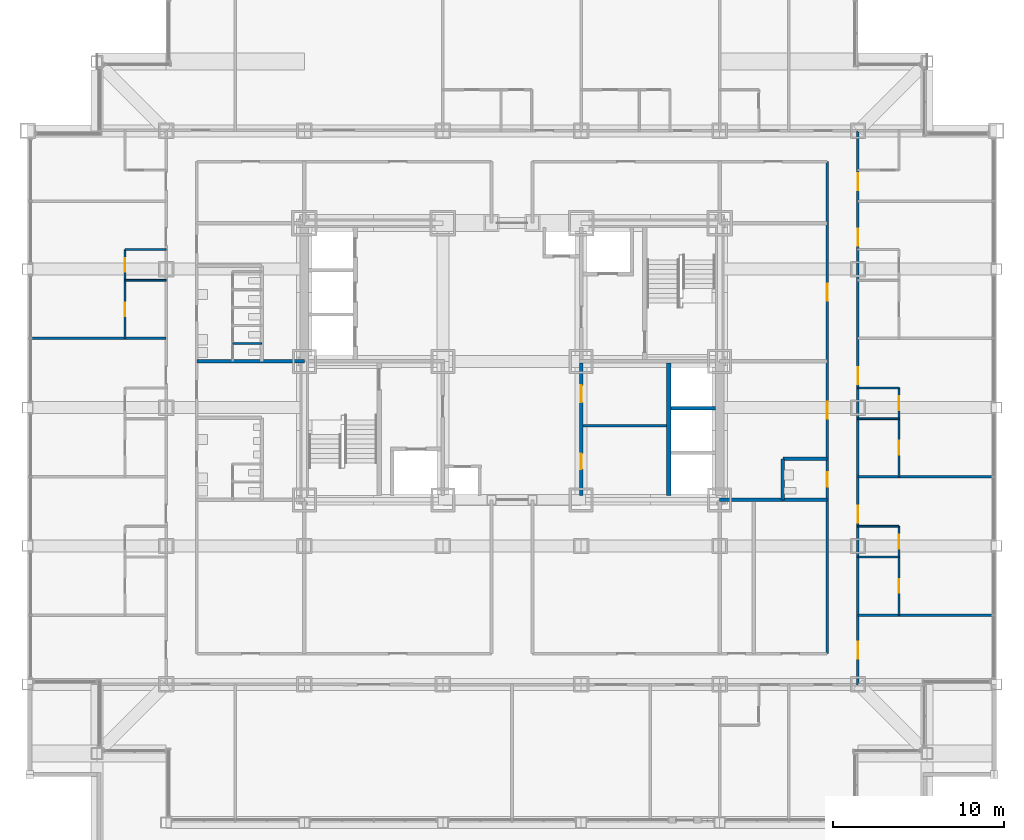
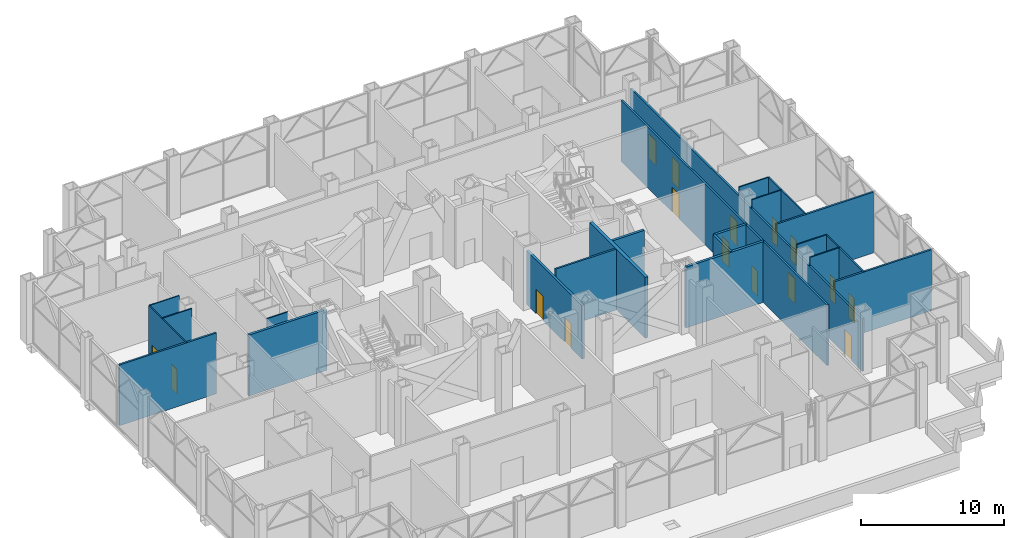
# One storey, part 21 of 26: 23 walls, 16 doors, 16 openings.
"""IFC4 building model written with IfcOpenShell, lengths in metres."""

from ifc_helpers import new_model, si_unit, direction, frame, frame_2d, origin, place, context, subcontext, project, spatial, rectangle, extrude, material, layer, layer_set, type_object, element, fill, save


model = new_model("IFC4")

# Units and contexts
model_context = context("Model", 3, precision=1e-05, world=origin(), true_north=direction((0.0, 1.0)))
body_context = subcontext(model_context, "Body", "Model", "MODEL_VIEW")
ifc_project = project(units=[si_unit("LENGTHUNIT", "METRE"), si_unit("AREAUNIT", "SQUARE_METRE"), si_unit("VOLUMEUNIT", "CUBIC_METRE"), si_unit("PLANEANGLEUNIT", "RADIAN"), si_unit("MASSUNIT", "GRAM", prefix="KILO")], contexts=[model_context])

# Site, building, storey
site_placement = place(None, origin())
site = spatial("IfcSite", under=ifc_project, at=site_placement, CompositionType="ELEMENT")
building_placement = place(site_placement, origin())
building = spatial("IfcBuilding", under=site, at=building_placement, Name="Kopane Lantern Tower", CompositionType="ELEMENT")
storey_placement = place(building_placement, frame((0.0, 0.0, 98.0)))
storey = spatial("IfcBuildingStorey", under=building, at=storey_placement, Name="L24", CompositionType="ELEMENT", Elevation=98.0)

# Wall, openings, doors
ifc_material_1 = material(Name="Moisture-resistant board on steel studs", Category="steel")
ifc_layer_1 = layer(ifc_material_1, 0.10009765625)
ifc_layer_set_1 = layer_set([ifc_layer_1], Name="BATHROOM WALL 100")
wall_type_1 = type_object("IfcWallType", Name="BATHROOM WALL 100", PredefinedType="PARTITIONING", material=ifc_layer_set_1)
wall_1_placement = place(storey_placement, frame((5.699951171875, 33.75, 0.0), z_axis=(0.0, 0.0, 1.0), x_axis=(0.0, 1.0, 0.0)))
wall_1 = element("IfcWall", 1, at=wall_1_placement, inside=storey, type_object=wall_type_1, Name="Bathroom Wall 100 L24", PredefinedType="PARTITIONING", context=body_context, shape_type="SweptSolid", body=[
    extrude(rectangle(XDim=5.199951171875, YDim=0.10009765625, at=frame_2d((2.60009765625, 0.0))), origin(), (0.0, 0.0, 1.0), 5.18994140625),
])
opening_1_placement = place(wall_1_placement, frame((1.300048828125, 0.0, 0.0)))
opening_1 = element("IfcOpeningElement", 2, at=opening_1_placement, cuts=wall_1, Name="Opening L24-038", PredefinedType="OPENING", context=body_context, shape_type="SweptSolid", body=[
    extrude(rectangle(XDim=0.800048828125, YDim=2.10009765625, at=frame_2d((0.39990234375, 1.050048828125))), frame((0.0, 0.06005859375, 0.0), z_axis=(0.0, -1.0, 0.0), x_axis=(1.0, 0.0, 0.0)), (0.0, 0.0, 1.0), 0.1201171875),
])
opening_2_placement = place(wall_1_placement, frame((3.89990234375, 0.0, 0.0)))
opening_2 = element("IfcOpeningElement", 3, at=opening_2_placement, cuts=wall_1, Name="Opening L24-039", PredefinedType="OPENING", context=body_context, shape_type="SweptSolid", body=[
    extrude(rectangle(XDim=0.800048828125, YDim=2.10009765625, at=frame_2d((0.39990234375, 1.050048828125))), frame((0.0, 0.06005859375, 0.0), z_axis=(0.0, -1.0, 0.0), x_axis=(1.0, 0.0, 0.0)), (0.0, 0.0, 1.0), 0.1201171875),
])
ifc_material_2 = material(Name="Timber door set", Category="wood")
door_type_1 = type_object("IfcDoorType", Name="DOOR D2 800x2100", OperationType="SINGLE_SWING_LEFT", PredefinedType="DOOR", material=ifc_material_2)
door_1_placement = place(opening_1_placement, origin())
door_1 = element("IfcDoor", 4, at=door_1_placement, inside=storey, type_object=door_type_1, Name="Door L24-038", OperationType="SINGLE_SWING_LEFT", OverallHeight=2.10009765625, OverallWidth=0.800048828125, PredefinedType="DOOR", context=body_context, shape_type="SweptSolid", body=[
    extrude(rectangle(XDim=0.800048828125, YDim=2.10009765625, at=frame_2d((0.39990234375, 1.050048828125))), frame((0.0, 0.02490234375, 0.0), z_axis=(0.0, -1.0, 0.0), x_axis=(1.0, 0.0, 0.0)), (0.0, 0.0, 1.0), 0.050048828125),
])
fill(opening_1, door_1)
door_2_placement = place(opening_2_placement, origin())
door_2 = element("IfcDoor", 5, at=door_2_placement, inside=storey, type_object=door_type_1, Name="Door L24-039", OperationType="SINGLE_SWING_LEFT", OverallHeight=2.10009765625, OverallWidth=0.800048828125, PredefinedType="DOOR", context=body_context, shape_type="SweptSolid", body=[
    extrude(rectangle(XDim=0.800048828125, YDim=2.10009765625, at=frame_2d((0.39990234375, 1.050048828125))), frame((0.0, 0.02490234375, 0.0), z_axis=(0.0, -1.0, 0.0), x_axis=(1.0, 0.0, 0.0)), (0.0, 0.0, 1.0), 0.050048828125),
])
fill(opening_2, door_2)

# Walls
for number, where, z_axis, x_axis, name in (
    (6, (8.10009765625, 37.14990234375, 0.0), (0.0, 0.0, 1.0), (-1.0, 0.0, 0.0), "Bathroom Wall 100 L24"),
    (7, (8.10009765625, 38.949951171875, 0.0), (0.0, 0.0, 1.0), (-1.0, 0.0, 0.0), "Bathroom Wall 100 L24"),
):
    element("IfcWall", number, at=place(storey_placement, frame(where, z_axis=z_axis, x_axis=x_axis)), inside=storey, type_object=wall_type_1, Name=name, PredefinedType="PARTITIONING", context=body_context, shape_type="SweptSolid", body=[
        extrude(rectangle(XDim=2.400146484375, YDim=0.10009765625, at=frame_2d((1.2001953125, 0.0))), origin(), (0.0, 0.0, 1.0), 5.18994140625),
    ])

# Wall, openings, doors
wall_2_placement = place(storey_placement, frame((51.0, 17.550048828125, 0.0), z_axis=(0.0, 0.0, 1.0), x_axis=(0.0, 1.0, 0.0)))
wall_2 = element("IfcWall", 8, at=wall_2_placement, inside=storey, type_object=wall_type_1, Name="Bathroom Wall 100 L24", PredefinedType="PARTITIONING", context=body_context, shape_type="SweptSolid", body=[
    extrude(rectangle(XDim=5.199951171875, YDim=0.10009765625, at=frame_2d((2.60009765625, 0.0))), origin(), (0.0, 0.0, 1.0), 5.18994140625),
])
opening_3_placement = place(wall_2_placement, frame((1.300048828125, 0.0, 0.0)))
opening_3 = element("IfcOpeningElement", 9, at=opening_3_placement, cuts=wall_2, Name="Opening L24-044", PredefinedType="OPENING", context=body_context, shape_type="SweptSolid", body=[
    extrude(rectangle(XDim=0.800048828125, YDim=2.10009765625, at=frame_2d((0.39990234375, 1.050048828125))), frame((0.0, 0.06005859375, 0.0), z_axis=(0.0, -1.0, 0.0), x_axis=(1.0, 0.0, 0.0)), (0.0, 0.0, 1.0), 0.1201171875),
])
opening_4_placement = place(wall_2_placement, frame((3.89990234375, 0.0, 0.0)))
opening_4 = element("IfcOpeningElement", 10, at=opening_4_placement, cuts=wall_2, Name="Opening L24-045", PredefinedType="OPENING", context=body_context, shape_type="SweptSolid", body=[
    extrude(rectangle(XDim=0.800048828125, YDim=2.10009765625, at=frame_2d((0.39990234375, 1.050048828125))), frame((0.0, 0.06005859375, 0.0), z_axis=(0.0, -1.0, 0.0), x_axis=(1.0, 0.0, 0.0)), (0.0, 0.0, 1.0), 0.1201171875),
])
door_3_placement = place(opening_3_placement, origin())
door_3 = element("IfcDoor", 11, at=door_3_placement, inside=storey, type_object=door_type_1, Name="Door L24-044", OperationType="SINGLE_SWING_RIGHT", OverallHeight=2.10009765625, OverallWidth=0.800048828125, PredefinedType="DOOR", context=body_context, shape_type="SweptSolid", body=[
    extrude(rectangle(XDim=0.800048828125, YDim=2.10009765625, at=frame_2d((0.39990234375, 1.050048828125))), frame((0.0, 0.02490234375, 0.0), z_axis=(0.0, -1.0, 0.0), x_axis=(1.0, 0.0, 0.0)), (0.0, 0.0, 1.0), 0.050048828125),
])
fill(opening_3, door_3)
door_4_placement = place(opening_4_placement, origin())
door_4 = element("IfcDoor", 12, at=door_4_placement, inside=storey, type_object=door_type_1, Name="Door L24-045", OperationType="SINGLE_SWING_RIGHT", OverallHeight=2.10009765625, OverallWidth=0.800048828125, PredefinedType="DOOR", context=body_context, shape_type="SweptSolid", body=[
    extrude(rectangle(XDim=0.800048828125, YDim=2.10009765625, at=frame_2d((0.39990234375, 1.050048828125))), frame((0.0, 0.02490234375, 0.0), z_axis=(0.0, -1.0, 0.0), x_axis=(1.0, 0.0, 0.0)), (0.0, 0.0, 1.0), 0.050048828125),
])
fill(opening_4, door_4)

# Walls
for number, where, z_axis, x_axis, name in (
    (13, (48.60009765625, 20.949951171875, 0.0), (0.0, 0.0, 1.0), (1.0, 0.0, 0.0), "Bathroom Wall 100 L24"),
    (14, (48.60009765625, 22.75, 0.0), (0.0, 0.0, 1.0), (1.0, 0.0, 0.0), "Bathroom Wall 100 L24"),
):
    element("IfcWall", number, at=place(storey_placement, frame(where, z_axis=z_axis, x_axis=x_axis)), inside=storey, type_object=wall_type_1, Name=name, PredefinedType="PARTITIONING", context=body_context, shape_type="SweptSolid", body=[
        extrude(rectangle(XDim=2.39990234375, YDim=0.10009765625, at=frame_2d((1.199951171875, 0.0))), origin(), (0.0, 0.0, 1.0), 5.18994140625),
    ])

# Wall, openings, doors
wall_3_placement = place(storey_placement, frame((51.0, 25.64990234375, 0.0), z_axis=(0.0, 0.0, 1.0), x_axis=(0.0, 1.0, 0.0)))
wall_3 = element("IfcWall", 15, at=wall_3_placement, inside=storey, type_object=wall_type_1, Name="Bathroom Wall 100 L24", PredefinedType="PARTITIONING", context=body_context, shape_type="SweptSolid", body=[
    extrude(rectangle(XDim=5.2001953125, YDim=0.10009765625, at=frame_2d((2.60009765625, 0.0))), origin(), (0.0, 0.0, 1.0), 5.18994140625),
])
opening_5_placement = place(wall_3_placement, frame((1.300048828125, 0.0, 0.0)))
opening_5 = element("IfcOpeningElement", 16, at=opening_5_placement, cuts=wall_3, Name="Opening L24-047", PredefinedType="OPENING", context=body_context, shape_type="SweptSolid", body=[
    extrude(rectangle(XDim=0.800048828125, YDim=2.10009765625, at=frame_2d((0.39990234375, 1.050048828125))), frame((0.0, 0.06005859375, 0.0), z_axis=(0.0, -1.0, 0.0), x_axis=(1.0, 0.0, 0.0)), (0.0, 0.0, 1.0), 0.1201171875),
])
opening_6_placement = place(wall_3_placement, frame((3.89990234375, 0.0, 0.0)))
opening_6 = element("IfcOpeningElement", 17, at=opening_6_placement, cuts=wall_3, Name="Opening L24-048", PredefinedType="OPENING", context=body_context, shape_type="SweptSolid", body=[
    extrude(rectangle(XDim=0.800048828125, YDim=2.10009765625, at=frame_2d((0.39990234375, 1.050048828125))), frame((0.0, 0.06005859375, 0.0), z_axis=(0.0, -1.0, 0.0), x_axis=(1.0, 0.0, 0.0)), (0.0, 0.0, 1.0), 0.1201171875),
])
door_5_placement = place(opening_5_placement, origin())
door_5 = element("IfcDoor", 18, at=door_5_placement, inside=storey, type_object=door_type_1, Name="Door L24-047", OperationType="SINGLE_SWING_RIGHT", OverallHeight=2.10009765625, OverallWidth=0.800048828125, PredefinedType="DOOR", context=body_context, shape_type="SweptSolid", body=[
    extrude(rectangle(XDim=0.800048828125, YDim=2.10009765625, at=frame_2d((0.39990234375, 1.050048828125))), frame((0.0, 0.02490234375, 0.0), z_axis=(0.0, -1.0, 0.0), x_axis=(1.0, 0.0, 0.0)), (0.0, 0.0, 1.0), 0.050048828125),
])
fill(opening_5, door_5)
door_6_placement = place(opening_6_placement, origin())
door_6 = element("IfcDoor", 19, at=door_6_placement, inside=storey, type_object=door_type_1, Name="Door L24-048", OperationType="SINGLE_SWING_RIGHT", OverallHeight=2.10009765625, OverallWidth=0.800048828125, PredefinedType="DOOR", context=body_context, shape_type="SweptSolid", body=[
    extrude(rectangle(XDim=0.800048828125, YDim=2.10009765625, at=frame_2d((0.39990234375, 1.050048828125))), frame((0.0, 0.02490234375, 0.0), z_axis=(0.0, -1.0, 0.0), x_axis=(1.0, 0.0, 0.0)), (0.0, 0.0, 1.0), 0.050048828125),
])
fill(opening_6, door_6)

# Walls
for number, where, z_axis, x_axis, name in (
    (20, (48.60009765625, 29.050048828125, 0.0), (0.0, 0.0, 1.0), (1.0, 0.0, 0.0), "Bathroom Wall 100 L24"),
    (21, (48.60009765625, 30.85009765625, 0.0), (0.0, 0.0, 1.0), (1.0, 0.0, 0.0), "Bathroom Wall 100 L24"),
):
    element("IfcWall", number, at=place(storey_placement, frame(where, z_axis=z_axis, x_axis=x_axis)), inside=storey, type_object=wall_type_1, Name=name, PredefinedType="PARTITIONING", context=body_context, shape_type="SweptSolid", body=[
        extrude(rectangle(XDim=2.39990234375, YDim=0.10009765625, at=frame_2d((1.199951171875, 0.0))), origin(), (0.0, 0.0, 1.0), 5.18994140625),
    ])
wall_4_placement = place(storey_placement, frame((12.0, 33.449951171875, 0.0), z_axis=(0.0, 0.0, 1.0), x_axis=(1.0, 0.0, 0.0)))
element("IfcWall", 22, at=wall_4_placement, inside=storey, type_object=wall_type_1, Name="Bathroom Wall 100 L24", PredefinedType="PARTITIONING", context=body_context, shape_type="SweptSolid", body=[
    extrude(rectangle(XDim=1.699951171875, YDim=0.10009765625, at=frame_2d((0.85009765625, 0.0))), origin(), (0.0, 0.0, 1.0), 5.18994140625),
])
ifc_material_3 = material(Name="Gypsum partition EI 60", Category="gypsum")
ifc_layer_2 = layer(ifc_material_3, 0.14990234375)
ifc_layer_set_2 = layer_set([ifc_layer_2], Name="CORE ROOM PARTITION 150 EI 60")
wall_type_2 = type_object("IfcWallType", Name="CORE ROOM PARTITION 150 EI 60", PredefinedType="PARTITIONING", material=ifc_layer_set_2)
wall_5_placement = place(storey_placement, frame((32.5, 28.625, 0.0), z_axis=(0.0, 0.0, 1.0), x_axis=(1.0, 0.0, 0.0)))
element("IfcWall", 23, at=wall_5_placement, inside=storey, type_object=wall_type_2, Name="Core room partition L24 E1", PredefinedType="PARTITIONING", context=body_context, shape_type="SweptSolid", body=[
    extrude(rectangle(XDim=4.89990234375, YDim=0.14990234375, at=frame_2d((2.449951171875, 0.0))), origin(), (0.0, 0.0, 1.0), 5.18994140625),
])

# Wall, openings, doors
ifc_material_4 = material(Name="Gypsum partition EI 60", Category="gypsum")
ifc_layer_3 = layer(ifc_material_4, 0.199951171875)
ifc_layer_set_3 = layer_set([ifc_layer_3], Name="CORE ROOM WALL 200 EI 60")
wall_type_3 = type_object("IfcWallType", Name="CORE ROOM WALL 200 EI 60", PredefinedType="PARTITIONING", material=ifc_layer_set_3)
wall_6_placement = place(storey_placement, frame((32.39990234375, 24.550048828125, 0.0), z_axis=(0.0, 0.0, 1.0), x_axis=(0.0, 1.0, 0.0)))
wall_6 = element("IfcWall", 24, at=wall_6_placement, inside=storey, type_object=wall_type_3, Name="Core room wall L24 XE", PredefinedType="PARTITIONING", context=body_context, shape_type="SweptSolid", body=[
    extrude(rectangle(XDim=7.75, YDim=0.199951171875, at=frame_2d((3.875, 0.0))), origin(), (0.0, 0.0, 1.0), 4.577880859375),
])
opening_7_placement = place(wall_6_placement, frame((1.550048828125, 0.0, 0.0)))
opening_7 = element("IfcOpeningElement", 25, at=opening_7_placement, cuts=wall_6, Name="Opening 24.C20", PredefinedType="OPENING", context=body_context, shape_type="SweptSolid", body=[
    extrude(rectangle(XDim=0.89990234375, YDim=2.10009765625, at=frame_2d((0.449951171875, 1.050048828125))), frame((0.0, 0.10986328125, 0.0), z_axis=(0.0, -1.0, 0.0), x_axis=(1.0, 0.0, 0.0)), (0.0, 0.0, 1.0), 0.219970703125),
])
opening_8_placement = place(wall_6_placement, frame((5.449951171875, 0.0, 0.0)))
opening_8 = element("IfcOpeningElement", 26, at=opening_8_placement, cuts=wall_6, Name="Opening 24.C21", PredefinedType="OPENING", context=body_context, shape_type="SweptSolid", body=[
    extrude(rectangle(XDim=1.0, YDim=2.10009765625, at=frame_2d((0.5, 1.050048828125))), frame((0.0, 0.10986328125, 0.0), z_axis=(0.0, -1.0, 0.0), x_axis=(1.0, 0.0, 0.0)), (0.0, 0.0, 1.0), 0.219970703125),
])
ifc_material_5 = material(Name="Steel door set", Category="steel")
door_type_2 = type_object("IfcDoorType", Name="CORE ROOM DOOR 1000x2100 FD30S", OperationType="SINGLE_SWING_RIGHT", PredefinedType="DOOR", material=ifc_material_5)
door_7_placement = place(opening_8_placement, origin())
door_7 = element("IfcDoor", 27, at=door_7_placement, inside=storey, type_object=door_type_2, Name="Door Front office store L24", OperationType="SINGLE_SWING_LEFT", OverallHeight=2.10009765625, OverallWidth=1.0, PredefinedType="DOOR", context=body_context, shape_type="SweptSolid", body=[
    extrude(rectangle(XDim=1.0, YDim=2.10009765625, at=frame_2d((0.5, 1.050048828125))), frame((0.0, 0.02490234375, 0.0), z_axis=(0.0, -1.0, 0.0), x_axis=(1.0, 0.0, 0.0)), (0.0, 0.0, 1.0), 0.050048828125),
])
fill(opening_8, door_7)
ifc_material_6 = material(Name="Steel door set", Category="steel")
door_type_3 = type_object("IfcDoorType", Name="CORE ROOM DOOR 900x2100 FD60", OperationType="SINGLE_SWING_LEFT", PredefinedType="DOOR", material=ifc_material_6)
door_8_placement = place(opening_7_placement, origin())
door_8 = element("IfcDoor", 28, at=door_8_placement, inside=storey, type_object=door_type_3, Name="Door Luggage store L24", OperationType="SINGLE_SWING_LEFT", OverallHeight=2.10009765625, OverallWidth=0.89990234375, PredefinedType="DOOR", context=body_context, shape_type="SweptSolid", body=[
    extrude(rectangle(XDim=0.89990234375, YDim=2.10009765625, at=frame_2d((0.449951171875, 1.050048828125))), frame((0.0, 0.02490234375, 0.0), z_axis=(0.0, -1.0, 0.0), x_axis=(1.0, 0.0, 0.0)), (0.0, 0.0, 1.0), 0.050048828125),
])
fill(opening_7, door_8)

# Wall
ifc_material_7 = material(Name="Gypsum shaft wall EI 120", Category="gypsum")
ifc_layer_4 = layer(ifc_material_7, 0.25)
ifc_layer_set_4 = layer_set([ifc_layer_4], Name="CORE SHAFT WALL 250 EI 120")
wall_type_4 = type_object("IfcWallType", Name="CORE SHAFT WALL 250 EI 120", PredefinedType="SOLIDWALL", material=ifc_layer_set_4)
wall_7_placement = place(storey_placement, frame((37.52490234375, 24.550048828125, 0.0), z_axis=(0.0, 0.0, 1.0), x_axis=(0.0, 1.0, 0.0)))
element("IfcWall", 29, at=wall_7_placement, inside=storey, type_object=wall_type_4, Name="Core shaft wall L24 XLR", PredefinedType="SOLIDWALL", context=body_context, shape_type="SweptSolid", body=[
    extrude(rectangle(XDim=7.75, YDim=0.25, at=frame_2d((3.875, 0.0))), origin(), (0.0, 0.0, 1.0), 5.18994140625),
])

# Wall, openings, doors
ifc_material_8 = material(Name="Gypsum board on steel studs", Category="steel")
ifc_layer_5 = layer(ifc_material_8, 0.14990234375)
ifc_layer_set_5 = layer_set([ifc_layer_5], Name="CORRIDOR WALL 150 EI 60")
wall_type_5 = type_object("IfcWallType", Name="CORRIDOR WALL 150 EI 60", PredefinedType="PARTITIONING", material=ifc_layer_set_5)
wall_8_placement = place(storey_placement, frame((48.60009765625, 13.465087890625, 0.0), z_axis=(0.0, 0.0, 1.0), x_axis=(0.0, 1.0, 0.0)))
wall_8 = element("IfcWall", 30, at=wall_8_placement, inside=storey, type_object=wall_type_5, Name="Corridor Wall 150 Ei 60 L24", PredefinedType="PARTITIONING", context=body_context, shape_type="SweptSolid", body=[
    extrude(rectangle(XDim=32.434814453125, YDim=0.14990234375, at=frame_2d((16.21728515625, 0.0))), origin(), (0.0, 0.0, 1.0), 4.489990234375),
])
opening_9_placement = place(wall_8_placement, frame((1.52490234375, 0.0, 0.0)))
opening_9 = element("IfcOpeningElement", 31, at=opening_9_placement, cuts=wall_8, Name="Opening L24-043", PredefinedType="OPENING", context=body_context, shape_type="SweptSolid", body=[
    extrude(rectangle(XDim=1.0, YDim=2.10009765625, at=frame_2d((0.5, 1.050048828125))), frame((0.0, 0.0849609375, 0.0), z_axis=(0.0, -1.0, 0.0), x_axis=(1.0, 0.0, 0.0)), (0.0, 0.0, 1.0), 0.169921875),
])
opening_10_placement = place(wall_8_placement, frame((9.5, 0.0, 0.0)))
opening_10 = element("IfcOpeningElement", 32, at=opening_10_placement, cuts=wall_8, Name="Opening L24-046", PredefinedType="OPENING", context=body_context, shape_type="SweptSolid", body=[
    extrude(rectangle(XDim=1.0, YDim=2.10009765625, at=frame_2d((0.5, 1.050048828125))), frame((0.0, 0.0849609375, 0.0), z_axis=(0.0, -1.0, 0.0), x_axis=(1.0, 0.0, 0.0)), (0.0, 0.0, 1.0), 0.169921875),
])
opening_11_placement = place(wall_8_placement, frame((17.60009765625, 0.0, 0.0)))
opening_11 = element("IfcOpeningElement", 33, at=opening_11_placement, cuts=wall_8, Name="Opening L24-049", PredefinedType="OPENING", context=body_context, shape_type="SweptSolid", body=[
    extrude(rectangle(XDim=1.0, YDim=2.10009765625, at=frame_2d((0.5, 1.050048828125))), frame((0.0, 0.0849609375, 0.0), z_axis=(0.0, -1.0, 0.0), x_axis=(1.0, 0.0, 0.0)), (0.0, 0.0, 1.0), 0.169921875),
])
opening_12_placement = place(wall_8_placement, frame((25.699951171875, 0.0, 0.0)))
opening_12 = element("IfcOpeningElement", 34, at=opening_12_placement, cuts=wall_8, Name="Opening L24-052", PredefinedType="OPENING", context=body_context, shape_type="SweptSolid", body=[
    extrude(rectangle(XDim=1.0, YDim=2.10009765625, at=frame_2d((0.5, 1.050048828125))), frame((0.0, 0.0849609375, 0.0), z_axis=(0.0, -1.0, 0.0), x_axis=(1.0, 0.0, 0.0)), (0.0, 0.0, 1.0), 0.169921875),
])
opening_13_placement = place(wall_8_placement, frame((28.949951171875, 0.0, 0.0)))
opening_13 = element("IfcOpeningElement", 35, at=opening_13_placement, cuts=wall_8, Name="Opening L24-054", PredefinedType="OPENING", context=body_context, shape_type="SweptSolid", body=[
    extrude(rectangle(XDim=1.0, YDim=2.10009765625, at=frame_2d((0.5, 1.050048828125))), frame((0.0, 0.0849609375, 0.0), z_axis=(0.0, -1.0, 0.0), x_axis=(1.0, 0.0, 0.0)), (0.0, 0.0, 1.0), 0.169921875),
])
ifc_material_9 = material(Name="Steel door set", Category="steel")
door_type_4 = type_object("IfcDoorType", Name="DOOR D1 1000x2100 FD30S", OperationType="SINGLE_SWING_LEFT", PredefinedType="DOOR", material=ifc_material_9)
door_9_placement = place(opening_10_placement, origin())
door_9 = element("IfcDoor", 36, at=door_9_placement, inside=storey, type_object=door_type_4, Name="Door L24-046", OperationType="SINGLE_SWING_RIGHT", OverallHeight=2.10009765625, OverallWidth=1.0, PredefinedType="DOOR", context=body_context, shape_type="SweptSolid", body=[
    extrude(rectangle(XDim=1.0, YDim=2.10009765625, at=frame_2d((0.5, 1.050048828125))), frame((0.0, 0.02490234375, 0.0), z_axis=(0.0, -1.0, 0.0), x_axis=(1.0, 0.0, 0.0)), (0.0, 0.0, 1.0), 0.050048828125),
])
fill(opening_10, door_9)
door_10_placement = place(opening_11_placement, origin())
door_10 = element("IfcDoor", 37, at=door_10_placement, inside=storey, type_object=door_type_4, Name="Door L24-049", OperationType="SINGLE_SWING_RIGHT", OverallHeight=2.10009765625, OverallWidth=1.0, PredefinedType="DOOR", context=body_context, shape_type="SweptSolid", body=[
    extrude(rectangle(XDim=1.0, YDim=2.10009765625, at=frame_2d((0.5, 1.050048828125))), frame((0.0, 0.02490234375, 0.0), z_axis=(0.0, -1.0, 0.0), x_axis=(1.0, 0.0, 0.0)), (0.0, 0.0, 1.0), 0.050048828125),
])
fill(opening_11, door_10)
door_11_placement = place(opening_12_placement, origin())
door_11 = element("IfcDoor", 38, at=door_11_placement, inside=storey, type_object=door_type_4, Name="Door L24-052", OperationType="SINGLE_SWING_RIGHT", OverallHeight=2.10009765625, OverallWidth=1.0, PredefinedType="DOOR", context=body_context, shape_type="SweptSolid", body=[
    extrude(rectangle(XDim=1.0, YDim=2.10009765625, at=frame_2d((0.5, 1.050048828125))), frame((0.0, 0.02490234375, 0.0), z_axis=(0.0, -1.0, 0.0), x_axis=(1.0, 0.0, 0.0)), (0.0, 0.0, 1.0), 0.050048828125),
])
fill(opening_12, door_11)
door_12_placement = place(opening_13_placement, origin())
door_12 = element("IfcDoor", 39, at=door_12_placement, inside=storey, type_object=door_type_4, Name="Door L24-054", OperationType="SINGLE_SWING_LEFT", OverallHeight=2.10009765625, OverallWidth=1.0, PredefinedType="DOOR", context=body_context, shape_type="SweptSolid", body=[
    extrude(rectangle(XDim=1.0, YDim=2.10009765625, at=frame_2d((0.5, 1.050048828125))), frame((0.0, 0.02490234375, 0.0), z_axis=(0.0, -1.0, 0.0), x_axis=(1.0, 0.0, 0.0)), (0.0, 0.0, 1.0), 0.050048828125),
])
fill(opening_13, door_12)
ifc_material_10 = material(Name="Steel door set", Category="steel")
door_type_5 = type_object("IfcDoorType", Name="DOOR D5 1000x2100 FD60", OperationType="SINGLE_SWING_LEFT", PredefinedType="DOOR", material=ifc_material_10)
door_13_placement = place(opening_9_placement, origin())
door_13 = element("IfcDoor", 40, at=door_13_placement, inside=storey, type_object=door_type_5, Name="Door L24-043", OperationType="SINGLE_SWING_RIGHT", OverallHeight=2.10009765625, OverallWidth=1.0, PredefinedType="DOOR", context=body_context, shape_type="SweptSolid", body=[
    extrude(rectangle(XDim=1.0, YDim=2.10009765625, at=frame_2d((0.5, 1.050048828125))), frame((0.0, 0.02490234375, 0.0), z_axis=(0.0, -1.0, 0.0), x_axis=(1.0, 0.0, 0.0)), (0.0, 0.0, 1.0), 0.050048828125),
])
fill(opening_9, door_13)

wall_9_placement = place(storey_placement, frame((46.800048828125, 15.300048828125, 0.0), z_axis=(0.0, 0.0, 1.0), x_axis=(0.0, 1.0, 0.0)))
wall_9 = element("IfcWall", 41, at=wall_9_placement, inside=storey, type_object=wall_type_5, Name="Corridor Wall 150 Ei 60 L24", PredefinedType="PARTITIONING", context=body_context, shape_type="SweptSolid", body=[
    extrude(rectangle(XDim=28.800048828125, YDim=0.14990234375, at=frame_2d((14.39990234375, 0.0))), origin(), (0.0, 0.0, 1.0), 5.18994140625),
])
opening_14_placement = place(wall_9_placement, frame((9.77490234375, 0.0, 0.0)))
opening_14 = element("IfcOpeningElement", 42, at=opening_14_placement, cuts=wall_9, Name="Opening L24-005", PredefinedType="OPENING", context=body_context, shape_type="SweptSolid", body=[
    extrude(rectangle(XDim=0.85009765625, YDim=2.10009765625, at=frame_2d((0.425048828125, 1.050048828125))), frame((0.0, 0.0849609375, 0.0), z_axis=(0.0, -1.0, 0.0), x_axis=(1.0, 0.0, 0.0)), (0.0, 0.0, 1.0), 0.169921875),
])
opening_15_placement = place(wall_9_placement, frame((13.75, 0.0, 0.0)))
opening_15 = element("IfcOpeningElement", 43, at=opening_15_placement, cuts=wall_9, Name="Opening L24-006", PredefinedType="OPENING", context=body_context, shape_type="SweptSolid", body=[
    extrude(rectangle(XDim=1.0, YDim=2.10009765625, at=frame_2d((0.5, 1.050048828125))), frame((0.0, 0.0849609375, 0.0), z_axis=(0.0, -1.0, 0.0), x_axis=(1.0, 0.0, 0.0)), (0.0, 0.0, 1.0), 0.169921875),
])
opening_16_placement = place(wall_9_placement, frame((20.64990234375, 0.0, 0.0)))
opening_16 = element("IfcOpeningElement", 44, at=opening_16_placement, cuts=wall_9, Name="Opening L24-007", PredefinedType="OPENING", context=body_context, shape_type="SweptSolid", body=[
    extrude(rectangle(XDim=1.0, YDim=2.10009765625, at=frame_2d((0.5, 1.050048828125))), frame((0.0, 0.0849609375, 0.0), z_axis=(0.0, -1.0, 0.0), x_axis=(1.0, 0.0, 0.0)), (0.0, 0.0, 1.0), 0.169921875),
])
ifc_material_11 = material(Name="Timber door set", Category="wood")
door_type_6 = type_object("IfcDoorType", Name="DOOR D4 850x2100", OperationType="SINGLE_SWING_LEFT", PredefinedType="DOOR", material=ifc_material_11)
door_14_placement = place(opening_14_placement, origin())
door_14 = element("IfcDoor", 45, at=door_14_placement, inside=storey, type_object=door_type_6, Name="Door L24-005", OperationType="SINGLE_SWING_LEFT", OverallHeight=2.10009765625, OverallWidth=0.85009765625, PredefinedType="DOOR", context=body_context, shape_type="SweptSolid", body=[
    extrude(rectangle(XDim=0.85009765625, YDim=2.10009765625, at=frame_2d((0.425048828125, 1.050048828125))), frame((0.0, 0.02490234375, 0.0), z_axis=(0.0, -1.0, 0.0), x_axis=(1.0, 0.0, 0.0)), (0.0, 0.0, 1.0), 0.050048828125),
])
fill(opening_14, door_14)
door_15_placement = place(opening_15_placement, origin())
door_15 = element("IfcDoor", 46, at=door_15_placement, inside=storey, type_object=door_type_5, Name="Door L24-006", OperationType="SINGLE_SWING_RIGHT", OverallHeight=2.10009765625, OverallWidth=1.0, PredefinedType="DOOR", context=body_context, shape_type="SweptSolid", body=[
    extrude(rectangle(XDim=1.0, YDim=2.10009765625, at=frame_2d((0.5, 1.050048828125))), frame((0.0, 0.02490234375, 0.0), z_axis=(0.0, -1.0, 0.0), x_axis=(1.0, 0.0, 0.0)), (0.0, 0.0, 1.0), 0.050048828125),
])
fill(opening_15, door_15)
door_16_placement = place(opening_16_placement, origin())
door_16 = element("IfcDoor", 47, at=door_16_placement, inside=storey, type_object=door_type_5, Name="Door L24-007", OperationType="SINGLE_SWING_LEFT", OverallHeight=2.10009765625, OverallWidth=1.0, PredefinedType="DOOR", context=body_context, shape_type="SweptSolid", body=[
    extrude(rectangle(XDim=1.0, YDim=2.10009765625, at=frame_2d((0.5, 1.050048828125))), frame((0.0, 0.02490234375, 0.0), z_axis=(0.0, -1.0, 0.0), x_axis=(1.0, 0.0, 0.0)), (0.0, 0.0, 1.0), 0.050048828125),
])
fill(opening_16, door_16)

# Walls
ifc_material_12 = material(Name="Gypsum board on steel studs", Category="steel")
ifc_layer_6 = layer(ifc_material_12, 0.14990234375)
ifc_layer_set_6 = layer_set([ifc_layer_6], Name="DEMISING WALL 150 EI 60")
wall_type_6 = type_object("IfcWallType", Name="DEMISING WALL 150 EI 60", PredefinedType="PARTITIONING", material=ifc_layer_set_6)
wall_10_placement = place(storey_placement, frame((8.10009765625, 33.75, 0.0), z_axis=(0.0, 0.0, 1.0), x_axis=(-1.0, 0.0, 0.0)))
element("IfcWall", 48, at=wall_10_placement, inside=storey, type_object=wall_type_6, Name="Demising Wall 150 Ei 60 L24", PredefinedType="PARTITIONING", context=body_context, shape_type="SweptSolid", body=[
    extrude(rectangle(XDim=7.834716796875, YDim=0.14990234375, at=frame_2d((3.91748046875, 0.0))), origin(), (0.0, 0.0, 1.0), 5.18994140625),
])
for number, where, z_axis, x_axis, name in (
    (49, (48.60009765625, 17.550048828125, 0.0), (0.0, 0.0, 1.0), (1.0, 0.0, 0.0), "Demising Wall 150 Ei 60 L24"),
    (50, (48.60009765625, 25.64990234375, 0.0), (0.0, 0.0, 1.0), (1.0, 0.0, 0.0), "Demising Wall 150 Ei 60 L24"),
):
    element("IfcWall", number, at=place(storey_placement, frame(where, z_axis=z_axis, x_axis=x_axis)), inside=storey, type_object=wall_type_6, Name=name, PredefinedType="PARTITIONING", context=body_context, shape_type="SweptSolid", body=[
        extrude(rectangle(XDim=7.83447265625, YDim=0.14990234375, at=frame_2d((3.917236328125, 0.0))), origin(), (0.0, 0.0, 1.0), 5.18994140625),
    ])
ifc_material_13 = material(Name="Concrete masonry", Category="masonry")
ifc_layer_7 = layer(ifc_material_13, 0.199951171875)
ifc_layer_set_7 = layer_set([ifc_layer_7], Name="PLANT ROOM WALL 200 EI 120")
wall_type_7 = type_object("IfcWallType", Name="PLANT ROOM WALL 200 EI 120", PredefinedType="SOLIDWALL", material=ifc_layer_set_7)
wall_11_placement = place(storey_placement, frame((9.89990234375, 32.39990234375, 0.0), z_axis=(0.0, 0.0, 1.0), x_axis=(1.0, 0.0, 0.0)))
element("IfcWall", 51, at=wall_11_placement, inside=storey, type_object=wall_type_7, Name="Plant Room Wall 200 Ei 120 L24", PredefinedType="SOLIDWALL", context=body_context, shape_type="SweptSolid", body=[
    extrude(rectangle(XDim=6.300048828125, YDim=0.199951171875, at=frame_2d((3.14990234375, 0.0))), origin(), (0.0, 0.0, 1.0), 5.18994140625),
])
wall_12_placement = place(storey_placement, frame((46.800048828125, 26.699951171875, 0.0), z_axis=(0.0, 0.0, 1.0), x_axis=(-1.0, 0.0, 0.0)))
element("IfcWall", 52, at=wall_12_placement, inside=storey, type_object=wall_type_7, Name="Plant Room Wall 200 Ei 120 L24", PredefinedType="SOLIDWALL", context=body_context, shape_type="SweptSolid", body=[
    extrude(rectangle(XDim=2.60009765625, YDim=0.199951171875, at=frame_2d((1.300048828125, 0.0))), origin(), (0.0, 0.0, 1.0), 5.18994140625),
])
wall_13_placement = place(storey_placement, frame((44.199951171875, 24.300048828125, 0.0), z_axis=(0.0, 0.0, 1.0), x_axis=(0.0, 1.0, 0.0)))
element("IfcWall", 53, at=wall_13_placement, inside=storey, type_object=wall_type_7, Name="Plant Room Wall 200 Ei 120 L24", PredefinedType="SOLIDWALL", context=body_context, shape_type="SweptSolid", body=[
    extrude(rectangle(XDim=2.39990234375, YDim=0.199951171875, at=frame_2d((1.199951171875, 0.0))), origin(), (0.0, 0.0, 1.0), 5.18994140625),
])
wall_14_placement = place(storey_placement, frame((40.5, 24.300048828125, 0.0), z_axis=(0.0, 0.0, 1.0), x_axis=(1.0, 0.0, 0.0)))
element("IfcWall", 54, at=wall_14_placement, inside=storey, type_object=wall_type_7, Name="Plant Room Wall 200 Ei 120 L24", PredefinedType="SOLIDWALL", context=body_context, shape_type="SweptSolid", body=[
    extrude(rectangle(XDim=6.300048828125, YDim=0.199951171875, at=frame_2d((3.14990234375, 0.0))), origin(), (0.0, 0.0, 1.0), 5.18994140625),
])
ifc_material_14 = material(Name="Gypsum shaft wall EI 120", Category="gypsum")
ifc_layer_8 = layer(ifc_material_14, 0.199951171875)
ifc_layer_set_8 = layer_set([ifc_layer_8], Name="SHAFT WALL 200 EI 120")
wall_type_8 = type_object("IfcWallType", Name="SHAFT WALL 200 EI 120", PredefinedType="SOLIDWALL", material=ifc_layer_set_8)
wall_15_placement = place(storey_placement, frame((37.64990234375, 29.64990234375, 0.0), z_axis=(0.0, 0.0, 1.0), x_axis=(1.0, 0.0, 0.0)))
element("IfcWall", 55, at=wall_15_placement, inside=storey, type_object=wall_type_8, Name="Core shaft wall L24 YLR23", PredefinedType="SOLIDWALL", context=body_context, shape_type="SweptSolid", body=[
    extrude(rectangle(XDim=2.60009765625, YDim=0.199951171875, at=frame_2d((1.300048828125, 0.0))), origin(), (0.0, 0.0, 1.0), 5.18994140625),
])

save(model, "model.ifc")
